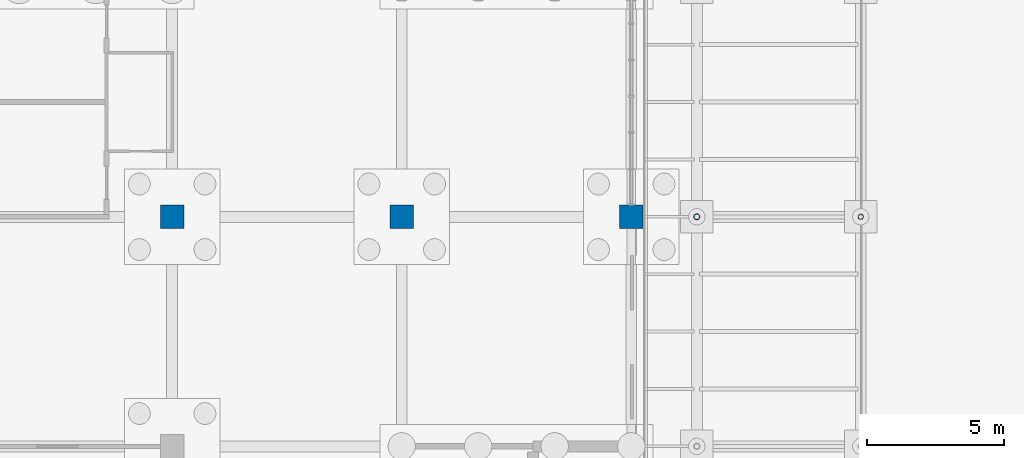
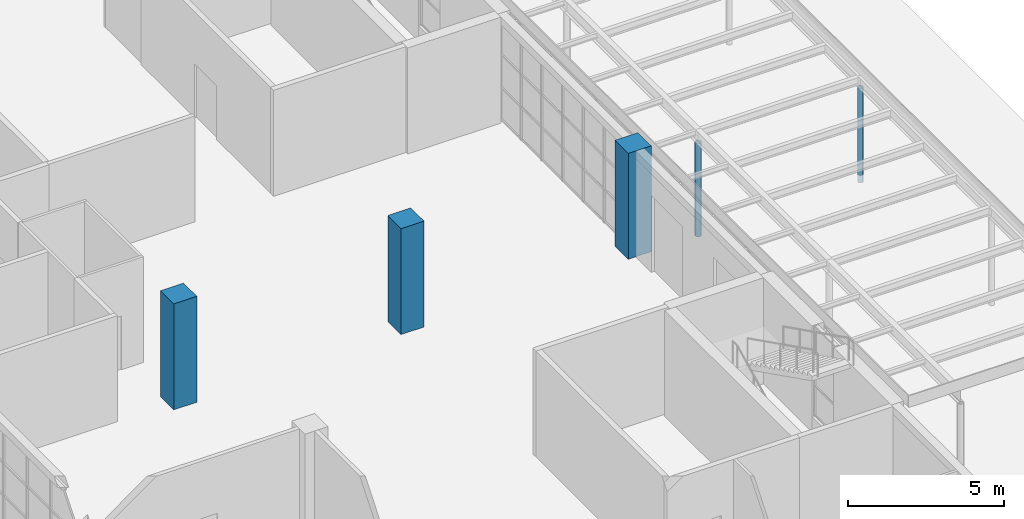
# One storey, part 26 of 138: 5 columns.
"""IFC4 building model written with IfcOpenShell, lengths in metres."""

from ifc_helpers import new_model, si_unit, direction, frame, origin, origin_2d, place, context, subcontext, project, spatial, rectangle, hollow_circle, extrude, material, material_profile, profile_set, type_object, element, save


model = new_model("IFC4")

# Units and contexts
model_context = context("Model", 3, precision=1e-05, world=origin(), true_north=direction((0.0, 1.0)))
body_context = subcontext(model_context, "Body", "Model", "MODEL_VIEW")
ifc_project = project(units=[si_unit("LENGTHUNIT", "METRE"), si_unit("AREAUNIT", "SQUARE_METRE"), si_unit("VOLUMEUNIT", "CUBIC_METRE"), si_unit("PLANEANGLEUNIT", "RADIAN"), si_unit("MASSUNIT", "GRAM", prefix="KILO")], contexts=[model_context])

# Site, building, storey
site_placement = place(None, origin())
site = spatial("IfcSite", under=ifc_project, at=site_placement, CompositionType="ELEMENT")
building_placement = place(site_placement, origin())
building = spatial("IfcBuilding", under=site, at=building_placement, Name="Yavir Park General Hospital", CompositionType="ELEMENT")
storey_placement = place(building_placement, origin())
storey = spatial("IfcBuildingStorey", under=building, at=storey_placement, Name="L00", CompositionType="ELEMENT", Elevation=0.0)

# Columns
ifc_material_1 = material(Name="Steel S355", Category="steel")
ifc_material_profile_1 = material_profile(ifc_material_1, hollow_circle(Radius=0.096923828125, WallThickness=0.010009765625, at=origin_2d()), Name="CHS193.7x10")
ifc_profile_set_1 = profile_set([ifc_material_profile_1], Name="Steel S355")
column_type_1 = type_object("IfcColumnType", Name="CHS 193.7x10 outer column", PredefinedType="COLUMN", material=ifc_profile_set_1)
column_1_placement = place(storey_placement, frame((176.39990234375, 67.199951171875, -0.300048828125), z_axis=(0.0, 0.0, 1.0), x_axis=(1.0, 0.0, 0.0)))
element("IfcColumn", 1, at=column_1_placement, inside=storey, type_object=column_type_1, Name="C:AMB:12", PredefinedType="COLUMN", context=body_context, shape_type="SweptSolid", body=[
    extrude(hollow_circle(Radius=0.096923828125, WallThickness=0.010009765625, at=origin_2d()), origin(), (0.0, 0.0, 1.0), 3.699951171875),
])
ifc_material_2 = material(Name="Steel S355", Category="steel")
ifc_material_profile_2 = material_profile(ifc_material_2, hollow_circle(Radius=0.109619140625, WallThickness=0.010009765625, at=origin_2d()), Name="CHS219.1x10")
ifc_profile_set_2 = profile_set([ifc_material_profile_2], Name="Steel S355")
column_type_2 = type_object("IfcColumnType", Name="CHS 219.1x10 column", PredefinedType="COLUMN", material=ifc_profile_set_2)
column_2_placement = place(storey_placement, frame((170.39990234375, 67.199951171875, -0.300048828125), z_axis=(0.0, 0.0, 1.0), x_axis=(1.0, 0.0, 0.0)))
element("IfcColumn", 2, at=column_2_placement, inside=storey, type_object=column_type_2, Name="C:AMB:02", PredefinedType="COLUMN", context=body_context, shape_type="SweptSolid", body=[
    extrude(hollow_circle(Radius=0.109619140625, WallThickness=0.010009765625, at=origin_2d()), origin(), (0.0, 0.0, 1.0), 3.650146484375),
])
ifc_material_3 = material(Name="Concrete C40/50", Category="concrete")
ifc_material_profile_3 = material_profile(ifc_material_3, rectangle(XDim=0.85009765625, YDim=0.85009765625, at=origin_2d()), Name="RC850x850")
ifc_profile_set_3 = profile_set([ifc_material_profile_3], Name="Concrete C40/50")
column_type_3 = type_object("IfcColumnType", Name="RC COLUMN 850x850", PredefinedType="COLUMN", material=ifc_profile_set_3)
for number, where, z_axis, x_axis, name in (
    (3, (151.199951171875, 67.199951171875, 0.0), (0.0, 0.0, 1.0), (1.0, 0.0, 0.0), "C:L00:19J"),
    (4, (159.60009765625, 67.199951171875, 0.0), (0.0, 0.0, 1.0), (1.0, 0.0, 0.0), "C:L00:20J"),
    (5, (168.0, 67.199951171875, 0.0), (0.0, 0.0, 1.0), (1.0, 0.0, 0.0), "C:L00:21J"),
):
    element("IfcColumn", number, at=place(storey_placement, frame(where, z_axis=z_axis, x_axis=x_axis)), inside=storey, type_object=column_type_3, Name=name, PredefinedType="COLUMN", context=body_context, shape_type="SweptSolid", body=[
        extrude(rectangle(XDim=0.85009765625, YDim=0.85009765625, at=origin_2d()), origin(), (0.0, 0.0, 1.0), 4.139892578125),
    ])

save(model, "model.ifc")
